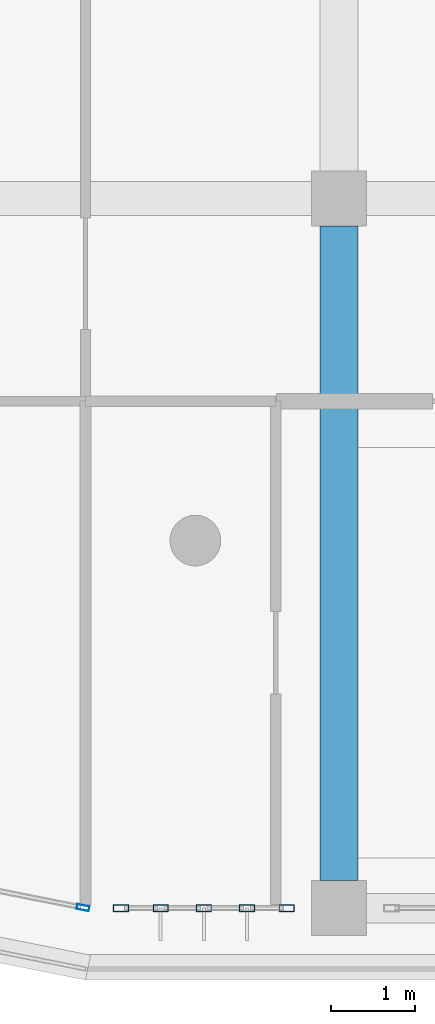
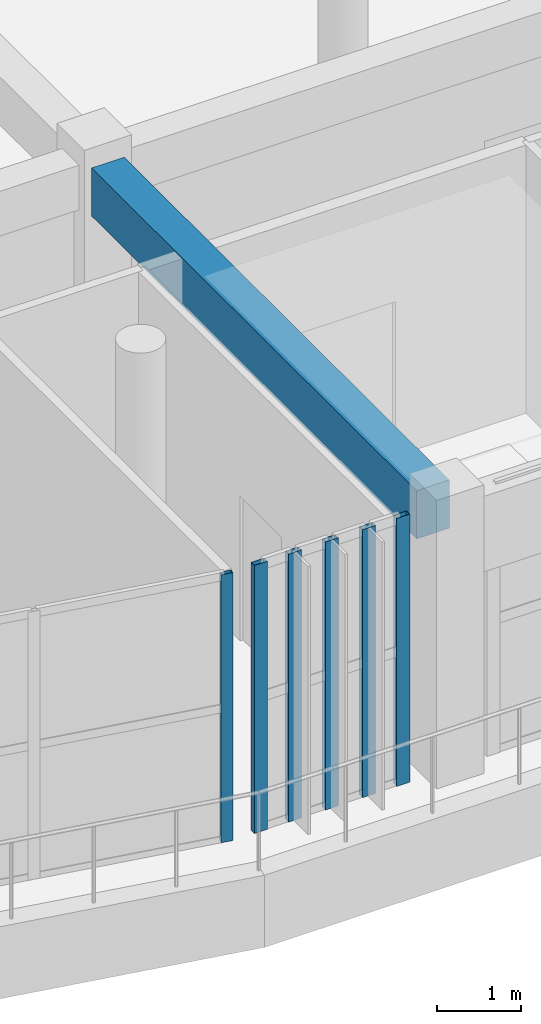
# One storey, part 3 of 63: 6 members, 1 beam, 2 elements without a shape of their own.
"""IFC4 building model written with IfcOpenShell, lengths in metres."""

import ifcopenshell
import ifcopenshell.guid

model = None  # the IFC model being written
_history = None  # IfcOwnerHistory: only IFC2X3 demands one
_inside = {}  # id of a spatial element -> (the spatial element, [elements in it])
_under = {}  # id of a project, library or spatial element -> (it, [spatial elements below it])
_declared = {}  # id of a project -> (the project, [libraries it declares])
_typed = {}  # id of a type object -> (the type object, [elements of that type])
_made_of = {}  # id of a material, layer set ... -> (it, [elements and type objects made of it])


def new_model(schema):
    """Start an empty IFC model of exactly this schema.

    Asked for "IFC4X3", IfcOpenShell would pick the latest addendum, in which some entities
    have other attributes; the version numbers below select the first issue.
    IFC2X3 requires an IfcOwnerHistory on every rooted entity: one is made here for all.
    """
    global model, _history
    if schema == "IFC4X3":
        model = ifcopenshell.file(schema_version=(4, 3, 0, 0))
    else:
        model = ifcopenshell.file(schema=schema)
    _inside.clear()
    _under.clear()
    _declared.clear()
    _typed.clear()
    _made_of.clear()
    _history = None
    if model.schema == "IFC2X3":
        org = make("IfcOrganization", Name="unknown")
        user = make(
            "IfcPersonAndOrganization",
            ThePerson=make("IfcPerson", FamilyName="unknown"),
            TheOrganization=org,
        )
        app = make(
            "IfcApplication",
            ApplicationDeveloper=org,
            Version="unknown",
            ApplicationFullName="unknown",
            ApplicationIdentifier="unknown",
        )
        _history = make(
            "IfcOwnerHistory",
            OwningUser=user,
            OwningApplication=app,
            ChangeAction="ADDED",
            CreationDate=0,
        )
    return model


def make(cls, **values):
    """One entity of the class cls with the attributes given. An attribute that is None is left unset."""
    return model.create_entity(
        cls, **{name: value for name, value in values.items() if value is not None}
    )


def rooted(cls, **values):
    """An entity with a GlobalId (a new one), such as an element, a storey or a relation."""
    return make(cls, GlobalId=ifcopenshell.guid.new(), OwnerHistory=_history, **values)


def si_unit(unit_type, name, prefix=None):
    """IfcSIUnit, for example si_unit("LENGTHUNIT", "METRE", prefix="MILLI")."""
    return make("IfcSIUnit", UnitType=unit_type, Prefix=prefix, Name=name)


def assignment(units):
    """IfcUnitAssignment: the units of a project."""
    return None if units is None else make("IfcUnitAssignment", Units=units)


def point(xyz):
    """IfcCartesianPoint."""
    return None if xyz is None else make("IfcCartesianPoint", Coordinates=xyz)


def direction(xyz):
    """IfcDirection."""
    return None if xyz is None else make("IfcDirection", DirectionRatios=xyz)


def frame(location, z_axis=None, x_axis=None):
    """IfcAxis2Placement3D, a coordinate frame: its origin and axes. An axis left out is left unset."""
    return make(
        "IfcAxis2Placement3D",
        Location=point(location),
        Axis=direction(z_axis),
        RefDirection=direction(x_axis),
    )


def frame_2d(location, x_axis=None):
    """IfcAxis2Placement2D, a coordinate frame in the plane: its origin and x axis."""
    return make(
        "IfcAxis2Placement2D", Location=point(location), RefDirection=direction(x_axis)
    )


def origin():
    """The frame at (0, 0, 0) with its axes left unset."""
    return frame((0.0, 0.0, 0.0))


def origin_2d():
    """The frame at (0, 0) in the plane with its x axis left unset."""
    return frame_2d((0.0, 0.0))


def place(relative_to, where):
    """IfcLocalPlacement: puts the frame where relative to a parent placement (None: the world)."""
    return make(
        "IfcLocalPlacement", PlacementRelTo=relative_to, RelativePlacement=where
    )


def context(
    kind, dimensions, precision=None, world=None, true_north=None, identifier=None
):
    """IfcGeometricRepresentationContext, for example the 3D "Model" context."""
    return make(
        "IfcGeometricRepresentationContext",
        ContextIdentifier=identifier,
        ContextType=kind,
        CoordinateSpaceDimension=dimensions,
        Precision=precision,
        WorldCoordinateSystem=world,
        TrueNorth=true_north,
    )


def subcontext(parent, identifier, kind, view, scale=None):
    """IfcGeometricRepresentationSubContext, for example "Body" below "Model"."""
    return make(
        "IfcGeometricRepresentationSubContext",
        ContextIdentifier=identifier,
        ContextType=kind,
        ParentContext=parent,
        TargetScale=scale,
        TargetView=view,
    )


def project(units=None, contexts=None):
    """IfcProject with its units and contexts."""
    return rooted(
        "IfcProject",
        Name="project",
        RepresentationContexts=contexts,
        UnitsInContext=assignment(units),
    )


def spatial(cls, under=None, at=None, **own):
    """A site, building, storey or space (cls), placed at a placement, below another one or the project."""
    s = rooted(cls, ObjectPlacement=at, **own)
    if under is not None:
        _under.setdefault(under.id(), (under, []))[1].append(s)
    return s


def profile(cls, at=None, kind="AREA", **sizes):
    """A parametric profile (cls). Its sizes go by their IFC names, for example OverallWidth=200.0."""
    return make(cls, ProfileType=kind, Position=at, **sizes)


def rectangle(**sizes):
    """IfcRectangleProfileDef."""
    return profile("IfcRectangleProfileDef", **sizes)


def hollow_rectangle(**sizes):
    """IfcRectangleHollowProfileDef."""
    return profile("IfcRectangleHollowProfileDef", **sizes)


def extrude(swept, where, along, depth):
    """IfcExtrudedAreaSolid: the profile swept, set in the frame where, extruded along a direction by depth."""
    return make(
        "IfcExtrudedAreaSolid",
        SweptArea=swept,
        Position=where,
        ExtrudedDirection=direction(along),
        Depth=depth,
    )


def shape(context_of_items, identifier, shape_type, items):
    """IfcShapeRepresentation: the items that make up one representation, for example the "Body"."""
    return make(
        "IfcShapeRepresentation",
        ContextOfItems=context_of_items,
        RepresentationIdentifier=identifier,
        RepresentationType=shape_type,
        Items=items,
    )


def material(Name=None, Category=None):
    """IfcMaterial."""
    return make("IfcMaterial", Name=Name, Category=Category)


def layer(
    of_material, thickness, ventilated=None, Name=None, Category=None, Priority=None
):
    """IfcMaterialLayer: one layer of a wall or slab, of a material (None: an air gap)."""
    return make(
        "IfcMaterialLayer",
        Material=of_material,
        LayerThickness=thickness,
        IsVentilated=ventilated,
        Name=Name,
        Category=Category,
        Priority=Priority,
    )


def layer_set(layers, Name=None):
    """IfcMaterialLayerSet."""
    return make("IfcMaterialLayerSet", MaterialLayers=layers, LayerSetName=Name)


def material_profile(
    of_material, cross_section, Name=None, Category=None, Priority=None
):
    """IfcMaterialProfile: a cross section and its material."""
    return make(
        "IfcMaterialProfile",
        Name=Name,
        Material=of_material,
        Profile=cross_section,
        Priority=Priority,
        Category=Category,
    )


def profile_set(profiles, Name=None, composite=None):
    """IfcMaterialProfileSet."""
    return make(
        "IfcMaterialProfileSet",
        Name=Name,
        MaterialProfiles=profiles,
        CompositeProfile=composite,
    )


def made_of(thing, what):
    """Note that an element or type object is made of a material, layer set ...; save() writes the relation."""
    if what is not None:
        _made_of.setdefault(what.id(), (what, []))[1].append(thing)
    return thing


def type_object(cls, material=None, **own):
    """A type object (cls), such as IfcWallType, which elements share."""
    return made_of(rooted(cls, **own), material)


def element(
    cls,
    number,
    at=None,
    inside=None,
    cuts=None,
    type_object=None,
    material=None,
    context=None,
    identifier="Body",
    shape_type=None,
    held_by="IfcProductDefinitionShape",
    body=None,
    shapes=None,
    **own,
):
    """One element of the class cls, such as IfcWall. Its Tag is "e" and its number.

    at: its placement. inside: the storey or other place that contains it. cuts: it is an
    opening in that element (IfcRelVoidsElement). A single representation is given by context,
    identifier, shape_type and body (its items); several are given by shapes. held_by: the class
    of the entity that holds the representations. save() writes the other relations.
    """
    e = rooted(cls, Tag="e%d" % number, ObjectPlacement=at, **own)
    if body is not None:
        shapes = [shape(context, identifier, shape_type, body)]
    if shapes is not None:
        e.Representation = make(held_by, Representations=shapes)
    if inside is not None:
        _inside.setdefault(inside.id(), (inside, []))[1].append(e)
    if cuts is not None:
        rooted(
            "IfcRelVoidsElement", RelatingBuildingElement=cuts, RelatedOpeningElement=e
        )
    if type_object is not None:
        _typed.setdefault(type_object.id(), (type_object, []))[1].append(e)
    return made_of(e, material)


def aggregate(whole, parts):
    """IfcRelAggregates: a whole, such as a stair, and the parts it consists of."""
    return rooted("IfcRelAggregates", RelatingObject=whole, RelatedObjects=parts)


def save(model, path):
    """Write the relations noted so far, then the file.

    IfcRelAggregates (storeys below a building ...), IfcRelContainedInSpatialStructure (elements
    in a storey), IfcRelDefinesByType, IfcRelAssociatesMaterial and IfcRelDeclares: one each for
    every whole, place, type object, material and project.
    """
    for whole, parts in _under.values():
        aggregate(whole, parts)
    for where, things in _inside.values():
        rooted(
            "IfcRelContainedInSpatialStructure",
            RelatedElements=things,
            RelatingStructure=where,
        )
    for kind, things in _typed.values():
        rooted("IfcRelDefinesByType", RelatedObjects=things, RelatingType=kind)
    for what, things in _made_of.values():
        rooted("IfcRelAssociatesMaterial", RelatedObjects=things, RelatingMaterial=what)
    for by, libraries in _declared.values():
        rooted("IfcRelDeclares", RelatingContext=by, RelatedDefinitions=libraries)
    model.write(path)


model = new_model("IFC4")

# Units and contexts
model_context = context("Model", 3, precision=1e-05, world=origin(), true_north=direction((0.0, 1.0)))
body_context = subcontext(model_context, "Body", "Model", "MODEL_VIEW")
ifc_project = project(units=[si_unit("LENGTHUNIT", "METRE"), si_unit("AREAUNIT", "SQUARE_METRE"), si_unit("VOLUMEUNIT", "CUBIC_METRE"), si_unit("PLANEANGLEUNIT", "RADIAN"), si_unit("MASSUNIT", "GRAM", prefix="KILO")], contexts=[model_context])

# Site, building, storey
site_placement = place(None, origin())
site = spatial("IfcSite", under=ifc_project, at=site_placement, CompositionType="ELEMENT")
building_placement = place(site_placement, origin())
building = spatial("IfcBuilding", under=site, at=building_placement, Name="Zizhar Promenade General Hospital", CompositionType="ELEMENT")
storey_placement = place(building_placement, frame((0.0, 0.0, 18.0)))
storey = spatial("IfcBuildingStorey", under=building, at=storey_placement, Name="L04", CompositionType="ELEMENT", Elevation=18.0)

# Beam
ifc_material_1 = material(Name="Concrete C35/45", Category="concrete")
ifc_material_profile_1 = material_profile(ifc_material_1, rectangle(XDim=0.449951171875, YDim=0.699951171875, at=origin_2d()))
ifc_profile_set_1 = profile_set([ifc_material_profile_1], Name="Concrete C35/45")
beam_type = type_object("IfcBeamType", Name="BM-RC-450x700", PredefinedType="BEAM", material=ifc_profile_set_1)
beam_placement = place(storey_placement, frame((31.199951171875, 0.324951171875, 3.56005859375), z_axis=(0.0, 1.0, 0.0), x_axis=(-1.0, 0.0, 0.0)))
element("IfcBeam", 1, at=beam_placement, inside=storey, type_object=beam_type, Name="Grid Beam Y L04 (4-0)", PredefinedType="BEAM", context=body_context, shape_type="SweptSolid", body=[
    extrude(rectangle(XDim=0.449951171875, YDim=0.699951171875, at=origin_2d()), origin(), (0.0, 0.0, 1.0), 7.75),
])

# Curtain wall, member
ifc_material_2 = material(Name="Anodised aluminium 6063-T6 and low-E glass", Category="aluminium")
ifc_layer_1 = layer(ifc_material_2, 0.159912109375)
ifc_layer_set_1 = layer_set([ifc_layer_1], Name="Anodised aluminium 6063-T6 and low-E glass")
curtain_wall_type_1 = type_object("IfcCurtainWallType", Name="CW-WARD-ARC", PredefinedType="NOTDEFINED", material=ifc_layer_set_1)
curtain_wall_1_placement = place(storey_placement, origin())
curtain_wall_1 = element("IfcCurtainWall", 2, at=curtain_wall_1_placement, inside=storey, type_object=curtain_wall_type_1, Name="Ward Semicircular End Glazing L04-17", PredefinedType="NOTDEFINED")
ifc_material_3 = material(Name="Anodised aluminium 6063-T6", Category="aluminium")
ifc_material_profile_2 = material_profile(ifc_material_3, hollow_rectangle(XDim=0.06005859375, YDim=0.14990234375, WallThickness=0.00390625, at=origin_2d()))
ifc_profile_set_2 = profile_set([ifc_material_profile_2], Name="Anodised aluminium 6063-T6")
member_type_1 = type_object("IfcMemberType", Name="CWM-ALU-150x60", PredefinedType="MULLION", material=ifc_profile_set_2)
member_1_placement = place(storey_placement, frame((28.170654296875, 0.005859375, 0.0), z_axis=(0.0, 0.0, 1.0), x_axis=(-0.195087259275, -0.980785889615, 0.0)))
member_1 = element("IfcMember", 3, at=member_1_placement, type_object=member_type_1, Name="CW-12 mullion 1", PredefinedType="MULLION", context=body_context, shape_type="SweptSolid", body=[
    extrude(hollow_rectangle(XDim=0.06005859375, YDim=0.14990234375, WallThickness=0.00390625, at=origin_2d()), origin(), (0.0, 0.0, 1.0), 3.89990234375),
])
aggregate(curtain_wall_1, [member_1])

# Curtain wall, members
ifc_material_4 = material(Name="Anodised aluminium 6063-T6 and low-E glass", Category="aluminium")
ifc_layer_2 = layer(ifc_material_4, 0.159912109375)
ifc_layer_set_2 = layer_set([ifc_layer_2], Name="Anodised aluminium 6063-T6 and low-E glass")
curtain_wall_type_2 = type_object("IfcCurtainWallType", Name="CW-WARD-RIB", PredefinedType="NOTDEFINED", material=ifc_layer_set_2)
curtain_wall_2_placement = place(storey_placement, origin())
curtain_wall_2 = element("IfcCurtainWall", 4, at=curtain_wall_2_placement, inside=storey, type_object=curtain_wall_type_2, Name="Ward Ribbon Curtain Wall L04-17-11", PredefinedType="NOTDEFINED")
ifc_material_5 = material(Name="Anodised aluminium 6063-T6", Category="aluminium")
ifc_material_profile_3 = material_profile(ifc_material_5, hollow_rectangle(XDim=0.080078125, YDim=0.179931640625, WallThickness=0.0048828125, at=origin_2d()))
ifc_profile_set_3 = profile_set([ifc_material_profile_3], Name="Anodised aluminium 6063-T6")
member_type_2 = type_object("IfcMemberType", Name="CWM-ALU-180x80", PredefinedType="MULLION", material=ifc_profile_set_3)
member_2_placement = place(storey_placement, frame((30.580078125, 0.0, 0.0), z_axis=(0.0, 0.0, 1.0), x_axis=(0.0, -1.0, 0.0)))
member_2 = element("IfcMember", 5, at=member_2_placement, type_object=member_type_2, Name="CW-13 mullion 1", PredefinedType="MULLION", context=body_context, shape_type="SweptSolid", body=[
    extrude(hollow_rectangle(XDim=0.080078125, YDim=0.179931640625, WallThickness=0.0048828125, at=origin_2d()), origin(), (0.0, 0.0, 1.0), 3.89990234375),
])
member_3_placement = place(storey_placement, frame((30.110107421875, 0.0, 0.0), z_axis=(0.0, 0.0, 1.0), x_axis=(0.0, -1.0, 0.0)))
member_3 = element("IfcMember", 6, at=member_3_placement, type_object=member_type_2, Name="CW-13 mullion 2", PredefinedType="MULLION", context=body_context, shape_type="SweptSolid", body=[
    extrude(hollow_rectangle(XDim=0.080078125, YDim=0.179931640625, WallThickness=0.0048828125, at=origin_2d()), origin(), (0.0, 0.0, 1.0), 3.89990234375),
])
member_4_placement = place(storey_placement, frame((29.60009765625, 0.0, 0.0), z_axis=(0.0, 0.0, 1.0), x_axis=(0.0, -1.0, 0.0)))
member_4 = element("IfcMember", 7, at=member_4_placement, type_object=member_type_2, Name="CW-13 mullion 3", PredefinedType="MULLION", context=body_context, shape_type="SweptSolid", body=[
    extrude(hollow_rectangle(XDim=0.080078125, YDim=0.179931640625, WallThickness=0.0048828125, at=origin_2d()), origin(), (0.0, 0.0, 1.0), 3.89990234375),
])
member_5_placement = place(storey_placement, frame((29.090087890625, 0.0, 0.0), z_axis=(0.0, 0.0, 1.0), x_axis=(0.0, -1.0, 0.0)))
member_5 = element("IfcMember", 8, at=member_5_placement, type_object=member_type_2, Name="CW-13 mullion 4", PredefinedType="MULLION", context=body_context, shape_type="SweptSolid", body=[
    extrude(hollow_rectangle(XDim=0.080078125, YDim=0.179931640625, WallThickness=0.0048828125, at=origin_2d()), origin(), (0.0, 0.0, 1.0), 3.89990234375),
])
member_6_placement = place(storey_placement, frame((28.6201171875, 0.0, 0.0), z_axis=(0.0, 0.0, 1.0), x_axis=(0.0, -1.0, 0.0)))
member_6 = element("IfcMember", 9, at=member_6_placement, type_object=member_type_2, Name="CW-13 mullion 5", PredefinedType="MULLION", context=body_context, shape_type="SweptSolid", body=[
    extrude(hollow_rectangle(XDim=0.080078125, YDim=0.179931640625, WallThickness=0.0048828125, at=origin_2d()), origin(), (0.0, 0.0, 1.0), 3.89990234375),
])
aggregate(curtain_wall_2, [member_2, member_3, member_4, member_5, member_6])

save(model, "model.ifc")
